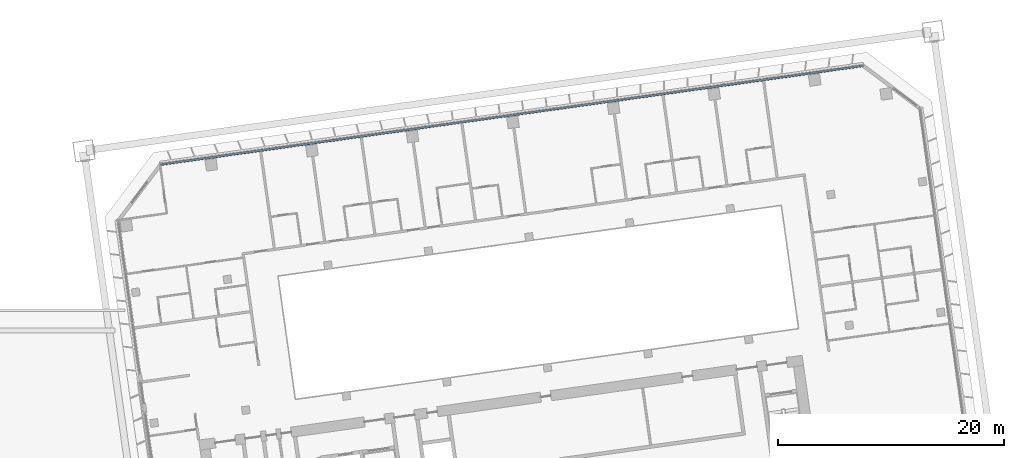
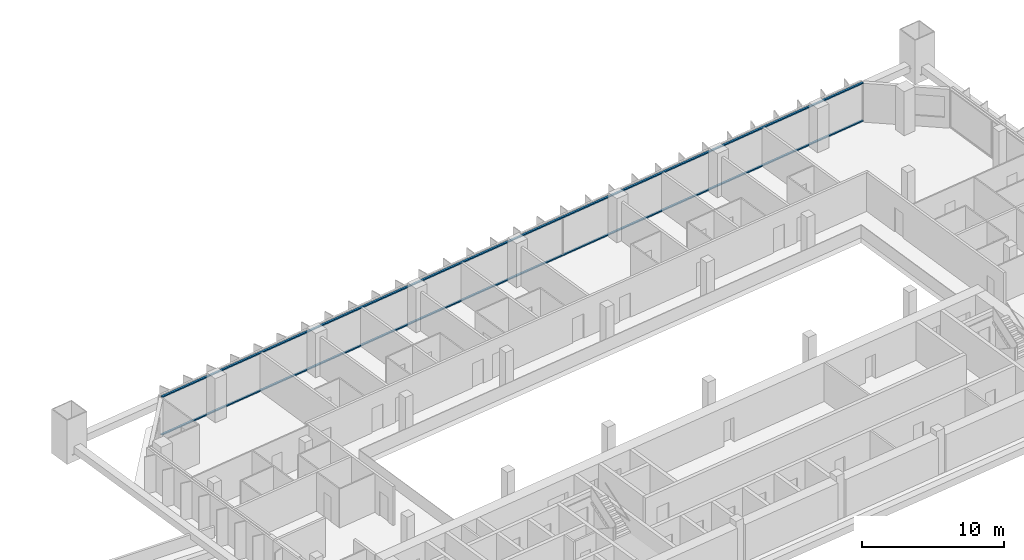
# One storey, part 16 of 46: 2 members, 1 element without a shape of its own.
"""IFC4 building model written with IfcOpenShell, lengths in metres."""

from ifc_helpers import new_model, si_unit, direction, frame, origin, origin_2d, place, context, subcontext, project, spatial, rectangle, extrude, material, material_profile, profile_set, type_object, element, aggregate, save


model = new_model("IFC4")

# Units and contexts
model_context = context("Model", 3, precision=1e-05, world=origin(), true_north=direction((0.0, 1.0)))
body_context = subcontext(model_context, "Body", "Model", "MODEL_VIEW")
ifc_project = project(units=[si_unit("LENGTHUNIT", "METRE"), si_unit("AREAUNIT", "SQUARE_METRE"), si_unit("VOLUMEUNIT", "CUBIC_METRE"), si_unit("PLANEANGLEUNIT", "RADIAN"), si_unit("MASSUNIT", "GRAM", prefix="KILO")], contexts=[model_context])

# Site, building, storey
site_placement = place(None, origin())
site = spatial("IfcSite", under=ifc_project, at=site_placement, CompositionType="ELEMENT")
building_placement = place(site_placement, origin())
building = spatial("IfcBuilding", under=site, at=building_placement, Name="Mirante Cascada Hotel Towers", CompositionType="ELEMENT")
storey_placement = place(building_placement, frame((0.0, 0.0, 39.5)))
storey = spatial("IfcBuildingStorey", under=building, at=storey_placement, Name="L06", CompositionType="ELEMENT", Elevation=39.5)

# Curtain wall, members
ifc_material_1 = material(Name="Aluminium mullion and transom frame with clear laminated glass", Category="aluminium")
curtain_wall_type = type_object("IfcCurtainWallType", Name="Ribbon curtain wall ECW1", PredefinedType="NOTDEFINED", material=ifc_material_1)
curtain_wall_placement = place(storey_placement, origin())
curtain_wall = element("IfcCurtainWall", 1, at=curtain_wall_placement, inside=storey, type_object=curtain_wall_type, Name="Front ribbon wall T2 L06", PredefinedType="NOTDEFINED")
ifc_material_2 = material(Name="Anodised aluminium extrusion", Category="aluminium")
ifc_material_profile = material_profile(ifc_material_2, rectangle(XDim=0.16, YDim=0.1, at=origin_2d()), Name="ECW1 TRANSOM 100x160")
ifc_profile_set = profile_set([ifc_material_profile], Name="Anodised aluminium extrusion")
member_type = type_object("IfcMemberType", Name="ECW1 transom 100x160", PredefinedType="USERDEFINED", material=ifc_profile_set)
member_1_placement = place(storey_placement, frame((94.1582, 26.0521, 0.05), z_axis=(-0.9902681, -0.1391728, 0.0), x_axis=(0.1391728, -0.9902681, 0.0)))
member_1 = element("IfcMember", 2, at=member_1_placement, type_object=member_type, Name="ECW1 sill transom", ObjectType="TRANSOM", PredefinedType="USERDEFINED", context=body_context, shape_type="SweptSolid", body=[
    extrude(rectangle(XDim=0.16, YDim=0.1, at=origin_2d()), origin(), (0.0, 0.0, 1.0), 62.8758),
])
member_2_placement = place(storey_placement, frame((94.1582, 26.0521, 3.3), z_axis=(-0.9902681, -0.1391728, 0.0), x_axis=(0.1391728, -0.9902681, 0.0)))
member_2 = element("IfcMember", 3, at=member_2_placement, type_object=member_type, Name="ECW1 head transom", ObjectType="TRANSOM", PredefinedType="USERDEFINED", context=body_context, shape_type="SweptSolid", body=[
    extrude(rectangle(XDim=0.16, YDim=0.1, at=origin_2d()), origin(), (0.0, 0.0, 1.0), 62.8758),
])
aggregate(curtain_wall, [member_1, member_2])

save(model, "model.ifc")
